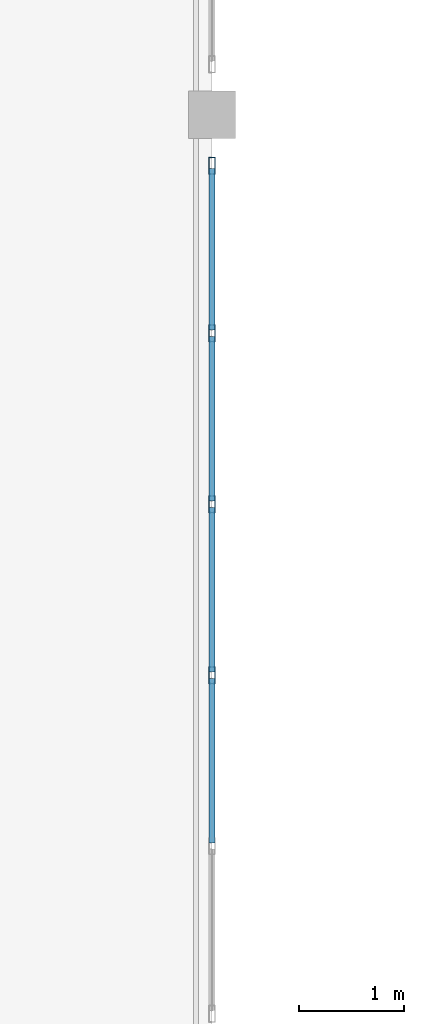
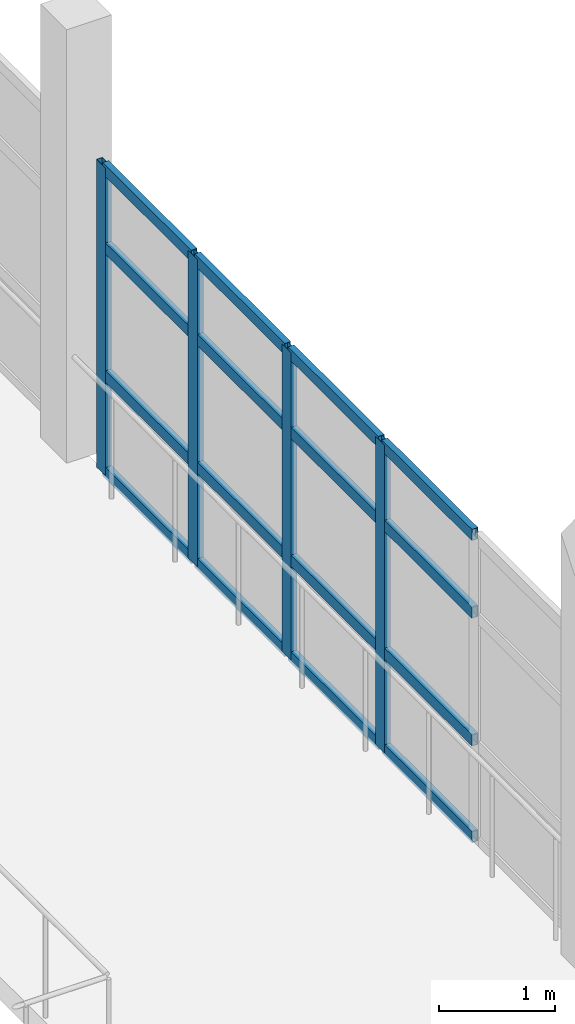
# One storey, part 16 of 80: 20 members, 1 element without a shape of its own.
"""IFC4 building model written with IfcOpenShell, lengths in metres."""

import ifcopenshell
import ifcopenshell.guid

model = None  # the IFC model being written
_history = None  # IfcOwnerHistory: only IFC2X3 demands one
_inside = {}  # id of a spatial element -> (the spatial element, [elements in it])
_under = {}  # id of a project, library or spatial element -> (it, [spatial elements below it])
_declared = {}  # id of a project -> (the project, [libraries it declares])
_typed = {}  # id of a type object -> (the type object, [elements of that type])
_made_of = {}  # id of a material, layer set ... -> (it, [elements and type objects made of it])


def new_model(schema):
    """Start an empty IFC model of exactly this schema.

    Asked for "IFC4X3", IfcOpenShell would pick the latest addendum, in which some entities
    have other attributes; the version numbers below select the first issue.
    IFC2X3 requires an IfcOwnerHistory on every rooted entity: one is made here for all.
    """
    global model, _history
    if schema == "IFC4X3":
        model = ifcopenshell.file(schema_version=(4, 3, 0, 0))
    else:
        model = ifcopenshell.file(schema=schema)
    _inside.clear()
    _under.clear()
    _declared.clear()
    _typed.clear()
    _made_of.clear()
    _history = None
    if model.schema == "IFC2X3":
        org = make("IfcOrganization", Name="unknown")
        user = make(
            "IfcPersonAndOrganization",
            ThePerson=make("IfcPerson", FamilyName="unknown"),
            TheOrganization=org,
        )
        app = make(
            "IfcApplication",
            ApplicationDeveloper=org,
            Version="unknown",
            ApplicationFullName="unknown",
            ApplicationIdentifier="unknown",
        )
        _history = make(
            "IfcOwnerHistory",
            OwningUser=user,
            OwningApplication=app,
            ChangeAction="ADDED",
            CreationDate=0,
        )
    return model


def make(cls, **values):
    """One entity of the class cls with the attributes given. An attribute that is None is left unset."""
    return model.create_entity(
        cls, **{name: value for name, value in values.items() if value is not None}
    )


def rooted(cls, **values):
    """An entity with a GlobalId (a new one), such as an element, a storey or a relation."""
    return make(cls, GlobalId=ifcopenshell.guid.new(), OwnerHistory=_history, **values)


def si_unit(unit_type, name, prefix=None):
    """IfcSIUnit, for example si_unit("LENGTHUNIT", "METRE", prefix="MILLI")."""
    return make("IfcSIUnit", UnitType=unit_type, Prefix=prefix, Name=name)


def assignment(units):
    """IfcUnitAssignment: the units of a project."""
    return None if units is None else make("IfcUnitAssignment", Units=units)


def point(xyz):
    """IfcCartesianPoint."""
    return None if xyz is None else make("IfcCartesianPoint", Coordinates=xyz)


def direction(xyz):
    """IfcDirection."""
    return None if xyz is None else make("IfcDirection", DirectionRatios=xyz)


def frame(location, z_axis=None, x_axis=None):
    """IfcAxis2Placement3D, a coordinate frame: its origin and axes. An axis left out is left unset."""
    return make(
        "IfcAxis2Placement3D",
        Location=point(location),
        Axis=direction(z_axis),
        RefDirection=direction(x_axis),
    )


def frame_2d(location, x_axis=None):
    """IfcAxis2Placement2D, a coordinate frame in the plane: its origin and x axis."""
    return make(
        "IfcAxis2Placement2D", Location=point(location), RefDirection=direction(x_axis)
    )


def origin():
    """The frame at (0, 0, 0) with its axes left unset."""
    return frame((0.0, 0.0, 0.0))


def origin_2d():
    """The frame at (0, 0) in the plane with its x axis left unset."""
    return frame_2d((0.0, 0.0))


def place(relative_to, where):
    """IfcLocalPlacement: puts the frame where relative to a parent placement (None: the world)."""
    return make(
        "IfcLocalPlacement", PlacementRelTo=relative_to, RelativePlacement=where
    )


def context(
    kind, dimensions, precision=None, world=None, true_north=None, identifier=None
):
    """IfcGeometricRepresentationContext, for example the 3D "Model" context."""
    return make(
        "IfcGeometricRepresentationContext",
        ContextIdentifier=identifier,
        ContextType=kind,
        CoordinateSpaceDimension=dimensions,
        Precision=precision,
        WorldCoordinateSystem=world,
        TrueNorth=true_north,
    )


def subcontext(parent, identifier, kind, view, scale=None):
    """IfcGeometricRepresentationSubContext, for example "Body" below "Model"."""
    return make(
        "IfcGeometricRepresentationSubContext",
        ContextIdentifier=identifier,
        ContextType=kind,
        ParentContext=parent,
        TargetScale=scale,
        TargetView=view,
    )


def project(units=None, contexts=None):
    """IfcProject with its units and contexts."""
    return rooted(
        "IfcProject",
        Name="project",
        RepresentationContexts=contexts,
        UnitsInContext=assignment(units),
    )


def spatial(cls, under=None, at=None, **own):
    """A site, building, storey or space (cls), placed at a placement, below another one or the project."""
    s = rooted(cls, ObjectPlacement=at, **own)
    if under is not None:
        _under.setdefault(under.id(), (under, []))[1].append(s)
    return s


def profile(cls, at=None, kind="AREA", **sizes):
    """A parametric profile (cls). Its sizes go by their IFC names, for example OverallWidth=200.0."""
    return make(cls, ProfileType=kind, Position=at, **sizes)


def hollow_rectangle(**sizes):
    """IfcRectangleHollowProfileDef."""
    return profile("IfcRectangleHollowProfileDef", **sizes)


def extrude(swept, where, along, depth):
    """IfcExtrudedAreaSolid: the profile swept, set in the frame where, extruded along a direction by depth."""
    return make(
        "IfcExtrudedAreaSolid",
        SweptArea=swept,
        Position=where,
        ExtrudedDirection=direction(along),
        Depth=depth,
    )


def shape(context_of_items, identifier, shape_type, items):
    """IfcShapeRepresentation: the items that make up one representation, for example the "Body"."""
    return make(
        "IfcShapeRepresentation",
        ContextOfItems=context_of_items,
        RepresentationIdentifier=identifier,
        RepresentationType=shape_type,
        Items=items,
    )


def material(Name=None, Category=None):
    """IfcMaterial."""
    return make("IfcMaterial", Name=Name, Category=Category)


def layer(
    of_material, thickness, ventilated=None, Name=None, Category=None, Priority=None
):
    """IfcMaterialLayer: one layer of a wall or slab, of a material (None: an air gap)."""
    return make(
        "IfcMaterialLayer",
        Material=of_material,
        LayerThickness=thickness,
        IsVentilated=ventilated,
        Name=Name,
        Category=Category,
        Priority=Priority,
    )


def layer_set(layers, Name=None):
    """IfcMaterialLayerSet."""
    return make("IfcMaterialLayerSet", MaterialLayers=layers, LayerSetName=Name)


def material_profile(
    of_material, cross_section, Name=None, Category=None, Priority=None
):
    """IfcMaterialProfile: a cross section and its material."""
    return make(
        "IfcMaterialProfile",
        Name=Name,
        Material=of_material,
        Profile=cross_section,
        Priority=Priority,
        Category=Category,
    )


def profile_set(profiles, Name=None, composite=None):
    """IfcMaterialProfileSet."""
    return make(
        "IfcMaterialProfileSet",
        Name=Name,
        MaterialProfiles=profiles,
        CompositeProfile=composite,
    )


def made_of(thing, what):
    """Note that an element or type object is made of a material, layer set ...; save() writes the relation."""
    if what is not None:
        _made_of.setdefault(what.id(), (what, []))[1].append(thing)
    return thing


def type_object(cls, material=None, **own):
    """A type object (cls), such as IfcWallType, which elements share."""
    return made_of(rooted(cls, **own), material)


def element(
    cls,
    number,
    at=None,
    inside=None,
    cuts=None,
    type_object=None,
    material=None,
    context=None,
    identifier="Body",
    shape_type=None,
    held_by="IfcProductDefinitionShape",
    body=None,
    shapes=None,
    **own,
):
    """One element of the class cls, such as IfcWall. Its Tag is "e" and its number.

    at: its placement. inside: the storey or other place that contains it. cuts: it is an
    opening in that element (IfcRelVoidsElement). A single representation is given by context,
    identifier, shape_type and body (its items); several are given by shapes. held_by: the class
    of the entity that holds the representations. save() writes the other relations.
    """
    e = rooted(cls, Tag="e%d" % number, ObjectPlacement=at, **own)
    if body is not None:
        shapes = [shape(context, identifier, shape_type, body)]
    if shapes is not None:
        e.Representation = make(held_by, Representations=shapes)
    if inside is not None:
        _inside.setdefault(inside.id(), (inside, []))[1].append(e)
    if cuts is not None:
        rooted(
            "IfcRelVoidsElement", RelatingBuildingElement=cuts, RelatedOpeningElement=e
        )
    if type_object is not None:
        _typed.setdefault(type_object.id(), (type_object, []))[1].append(e)
    return made_of(e, material)


def aggregate(whole, parts):
    """IfcRelAggregates: a whole, such as a stair, and the parts it consists of."""
    return rooted("IfcRelAggregates", RelatingObject=whole, RelatedObjects=parts)


def save(model, path):
    """Write the relations noted so far, then the file.

    IfcRelAggregates (storeys below a building ...), IfcRelContainedInSpatialStructure (elements
    in a storey), IfcRelDefinesByType, IfcRelAssociatesMaterial and IfcRelDeclares: one each for
    every whole, place, type object, material and project.
    """
    for whole, parts in _under.values():
        aggregate(whole, parts)
    for where, things in _inside.values():
        rooted(
            "IfcRelContainedInSpatialStructure",
            RelatedElements=things,
            RelatingStructure=where,
        )
    for kind, things in _typed.values():
        rooted("IfcRelDefinesByType", RelatedObjects=things, RelatingType=kind)
    for what, things in _made_of.values():
        rooted("IfcRelAssociatesMaterial", RelatedObjects=things, RelatingMaterial=what)
    for by, libraries in _declared.values():
        rooted("IfcRelDeclares", RelatingContext=by, RelatedDefinitions=libraries)
    model.write(path)


model = new_model("IFC4")

# Units and contexts
model_context = context("Model", 3, precision=1e-05, world=origin(), true_north=direction((0.0, 1.0)))
body_context = subcontext(model_context, "Body", "Model", "MODEL_VIEW")
ifc_project = project(units=[si_unit("LENGTHUNIT", "METRE"), si_unit("AREAUNIT", "SQUARE_METRE"), si_unit("VOLUMEUNIT", "CUBIC_METRE"), si_unit("PLANEANGLEUNIT", "RADIAN"), si_unit("MASSUNIT", "GRAM", prefix="KILO")], contexts=[model_context])

# Site, building, storey
site_placement = place(None, origin())
site = spatial("IfcSite", under=ifc_project, at=site_placement, CompositionType="ELEMENT")
building_placement = place(site_placement, origin())
building = spatial("IfcBuilding", under=site, at=building_placement, Name="Ornek Quay Market", CompositionType="ELEMENT")
storey_placement = place(building_placement, frame((0.0, 0.0, 8.39990234375)))
storey = spatial("IfcBuildingStorey", under=building, at=storey_placement, Name="L02", CompositionType="ELEMENT", Elevation=8.39990234375)

# Curtain wall, members
ifc_material_1 = material(Name="Anodised bronze aluminium and triple low-e glass", Category="aluminium")
ifc_layer = layer(ifc_material_1, 0.139892578125, Name="Anodised bronze aluminium and triple low-e glass", Category="aluminium")
ifc_layer_set = layer_set([ifc_layer], Name="Anodised bronze aluminium and triple low-e glass")
curtain_wall_type = type_object("IfcCurtainWallType", Name="CW-GALLERY-INT", PredefinedType="USERDEFINED", material=ifc_layer_set)
curtain_wall_placement = place(storey_placement, origin())
curtain_wall = element("IfcCurtainWall", 1, at=curtain_wall_placement, inside=storey, type_object=curtain_wall_type, Name="Curtain wall CW-113", ObjectType="CURTAIN WALL", PredefinedType="USERDEFINED")
ifc_material_2 = material(Name="Anodised aluminium 6063-T6", Category="aluminium")
ifc_material_profile_1 = material_profile(ifc_material_2, hollow_rectangle(XDim=0.06005859375, YDim=0.159912109375, WallThickness=0.00390625, at=origin_2d()), Name="CW-MUL-60x160", Category="aluminium")
ifc_profile_set_1 = profile_set([ifc_material_profile_1], Name="Anodised aluminium 6063-T6")
member_type_1 = type_object("IfcMemberType", Name="CW-MUL-60x160", PredefinedType="MULLION", material=ifc_profile_set_1)
member_1_placement = place(storey_placement, frame((72.0, 68.68994140625, 0.0), z_axis=(0.0, 0.0, 1.0), x_axis=(-1.0, 0.0, 0.0)))
member_1 = element("IfcMember", 2, at=member_1_placement, type_object=member_type_1, Name="CW-113 mullion 3", PredefinedType="MULLION", context=body_context, shape_type="SweptSolid", body=[
    extrude(hollow_rectangle(XDim=0.06005859375, YDim=0.159912109375, WallThickness=0.00390625, at=origin_2d()), origin(), (0.0, 0.0, 1.0), 3.25),
])
member_2_placement = place(storey_placement, frame((72.0, 70.31005859375, 0.0), z_axis=(0.0, 0.0, 1.0), x_axis=(-1.0, 0.0, 0.0)))
member_2 = element("IfcMember", 3, at=member_2_placement, type_object=member_type_1, Name="CW-113 mullion 4", PredefinedType="MULLION", context=body_context, shape_type="SweptSolid", body=[
    extrude(hollow_rectangle(XDim=0.06005859375, YDim=0.159912109375, WallThickness=0.00390625, at=origin_2d()), origin(), (0.0, 0.0, 1.0), 3.25),
])
member_3_placement = place(storey_placement, frame((72.0, 71.929931640625, 0.0), z_axis=(0.0, 0.0, 1.0), x_axis=(-1.0, 0.0, 0.0)))
member_3 = element("IfcMember", 4, at=member_3_placement, type_object=member_type_1, Name="CW-113 mullion 5", PredefinedType="MULLION", context=body_context, shape_type="SweptSolid", body=[
    extrude(hollow_rectangle(XDim=0.06005859375, YDim=0.159912109375, WallThickness=0.00390625, at=origin_2d()), origin(), (0.0, 0.0, 1.0), 3.25),
])
member_4_placement = place(storey_placement, frame((72.0, 73.52001953125, 0.0), z_axis=(0.0, 0.0, 1.0), x_axis=(-1.0, 0.0, 0.0)))
member_4 = element("IfcMember", 5, at=member_4_placement, type_object=member_type_1, Name="CW-113 mullion 6", PredefinedType="MULLION", context=body_context, shape_type="SweptSolid", body=[
    extrude(hollow_rectangle(XDim=0.06005859375, YDim=0.159912109375, WallThickness=0.00390625, at=origin_2d()), origin(), (0.0, 0.0, 1.0), 3.25),
])
ifc_material_profile_2 = material_profile(ifc_material_2, hollow_rectangle(XDim=0.06005859375, YDim=0.1201171875, WallThickness=0.00390625, at=origin_2d()), Name="CW-TRN-60x120", Category="aluminium")
ifc_profile_set_2 = profile_set([ifc_material_profile_2], Name="Anodised aluminium 6063-T6")
member_type_2 = type_object("IfcMemberType", Name="CW-TRN-60x120", PredefinedType="USERDEFINED", material=ifc_profile_set_2)
member_5_placement = place(storey_placement, frame((72.0, 67.10009765625, 0.030029296875), z_axis=(0.0, 1.0, 0.0), x_axis=(-1.0, 0.0, 0.0)))
member_5 = element("IfcMember", 6, at=member_5_placement, type_object=member_type_2, Name="CW-113 transom 2.1", ObjectType="TRANSOM", PredefinedType="USERDEFINED", context=body_context, shape_type="SweptSolid", body=[
    extrude(hollow_rectangle(XDim=0.06005859375, YDim=0.1201171875, WallThickness=0.00390625, at=origin_2d()), origin(), (0.0, 0.0, 1.0), 1.559814453125),
])
member_6_placement = place(storey_placement, frame((72.0, 67.10009765625, 1.050048828125), z_axis=(0.0, 1.0, 0.0), x_axis=(-1.0, 0.0, 0.0)))
member_6 = element("IfcMember", 7, at=member_6_placement, type_object=member_type_2, Name="CW-113 transom 2.2", ObjectType="TRANSOM", PredefinedType="USERDEFINED", context=body_context, shape_type="SweptSolid", body=[
    extrude(hollow_rectangle(XDim=0.06005859375, YDim=0.1201171875, WallThickness=0.00390625, at=origin_2d()), origin(), (0.0, 0.0, 1.0), 1.559814453125),
])
member_7_placement = place(storey_placement, frame((72.0, 67.10009765625, 2.400146484375), z_axis=(0.0, 1.0, 0.0), x_axis=(-1.0, 0.0, 0.0)))
member_7 = element("IfcMember", 8, at=member_7_placement, type_object=member_type_2, Name="CW-113 transom 2.3", ObjectType="TRANSOM", PredefinedType="USERDEFINED", context=body_context, shape_type="SweptSolid", body=[
    extrude(hollow_rectangle(XDim=0.06005859375, YDim=0.1201171875, WallThickness=0.00390625, at=origin_2d()), origin(), (0.0, 0.0, 1.0), 1.559814453125),
])
member_8_placement = place(storey_placement, frame((72.0, 67.10009765625, 3.22021484375), z_axis=(0.0, 1.0, 0.0), x_axis=(-1.0, 0.0, 0.0)))
member_8 = element("IfcMember", 9, at=member_8_placement, type_object=member_type_2, Name="CW-113 transom 2.4", ObjectType="TRANSOM", PredefinedType="USERDEFINED", context=body_context, shape_type="SweptSolid", body=[
    extrude(hollow_rectangle(XDim=0.06005859375, YDim=0.1201171875, WallThickness=0.00390625, at=origin_2d()), origin(), (0.0, 0.0, 1.0), 1.559814453125),
])
member_9_placement = place(storey_placement, frame((72.0, 68.719970703125, 0.030029296875), z_axis=(0.0, 1.0, 0.0), x_axis=(-1.0, 0.0, 0.0)))
member_9 = element("IfcMember", 10, at=member_9_placement, type_object=member_type_2, Name="CW-113 transom 3.1", ObjectType="TRANSOM", PredefinedType="USERDEFINED", context=body_context, shape_type="SweptSolid", body=[
    extrude(hollow_rectangle(XDim=0.06005859375, YDim=0.1201171875, WallThickness=0.00390625, at=origin_2d()), origin(), (0.0, 0.0, 1.0), 1.56005859375),
])
member_10_placement = place(storey_placement, frame((72.0, 68.719970703125, 1.050048828125), z_axis=(0.0, 1.0, 0.0), x_axis=(-1.0, 0.0, 0.0)))
member_10 = element("IfcMember", 11, at=member_10_placement, type_object=member_type_2, Name="CW-113 transom 3.2", ObjectType="TRANSOM", PredefinedType="USERDEFINED", context=body_context, shape_type="SweptSolid", body=[
    extrude(hollow_rectangle(XDim=0.06005859375, YDim=0.1201171875, WallThickness=0.00390625, at=origin_2d()), origin(), (0.0, 0.0, 1.0), 1.56005859375),
])
member_11_placement = place(storey_placement, frame((72.0, 68.719970703125, 2.400146484375), z_axis=(0.0, 1.0, 0.0), x_axis=(-1.0, 0.0, 0.0)))
member_11 = element("IfcMember", 12, at=member_11_placement, type_object=member_type_2, Name="CW-113 transom 3.3", ObjectType="TRANSOM", PredefinedType="USERDEFINED", context=body_context, shape_type="SweptSolid", body=[
    extrude(hollow_rectangle(XDim=0.06005859375, YDim=0.1201171875, WallThickness=0.00390625, at=origin_2d()), origin(), (0.0, 0.0, 1.0), 1.56005859375),
])
member_12_placement = place(storey_placement, frame((72.0, 68.719970703125, 3.22021484375), z_axis=(0.0, 1.0, 0.0), x_axis=(-1.0, 0.0, 0.0)))
member_12 = element("IfcMember", 13, at=member_12_placement, type_object=member_type_2, Name="CW-113 transom 3.4", ObjectType="TRANSOM", PredefinedType="USERDEFINED", context=body_context, shape_type="SweptSolid", body=[
    extrude(hollow_rectangle(XDim=0.06005859375, YDim=0.1201171875, WallThickness=0.00390625, at=origin_2d()), origin(), (0.0, 0.0, 1.0), 1.56005859375),
])
member_13_placement = place(storey_placement, frame((72.0, 70.340087890625, 0.030029296875), z_axis=(0.0, 1.0, 0.0), x_axis=(-1.0, 0.0, 0.0)))
member_13 = element("IfcMember", 14, at=member_13_placement, type_object=member_type_2, Name="CW-113 transom 4.1", ObjectType="TRANSOM", PredefinedType="USERDEFINED", context=body_context, shape_type="SweptSolid", body=[
    extrude(hollow_rectangle(XDim=0.06005859375, YDim=0.1201171875, WallThickness=0.00390625, at=origin_2d()), origin(), (0.0, 0.0, 1.0), 1.559814453125),
])
member_14_placement = place(storey_placement, frame((72.0, 70.340087890625, 1.050048828125), z_axis=(0.0, 1.0, 0.0), x_axis=(-1.0, 0.0, 0.0)))
member_14 = element("IfcMember", 15, at=member_14_placement, type_object=member_type_2, Name="CW-113 transom 4.2", ObjectType="TRANSOM", PredefinedType="USERDEFINED", context=body_context, shape_type="SweptSolid", body=[
    extrude(hollow_rectangle(XDim=0.06005859375, YDim=0.1201171875, WallThickness=0.00390625, at=origin_2d()), origin(), (0.0, 0.0, 1.0), 1.559814453125),
])
member_15_placement = place(storey_placement, frame((72.0, 70.340087890625, 2.400146484375), z_axis=(0.0, 1.0, 0.0), x_axis=(-1.0, 0.0, 0.0)))
member_15 = element("IfcMember", 16, at=member_15_placement, type_object=member_type_2, Name="CW-113 transom 4.3", ObjectType="TRANSOM", PredefinedType="USERDEFINED", context=body_context, shape_type="SweptSolid", body=[
    extrude(hollow_rectangle(XDim=0.06005859375, YDim=0.1201171875, WallThickness=0.00390625, at=origin_2d()), origin(), (0.0, 0.0, 1.0), 1.559814453125),
])
member_16_placement = place(storey_placement, frame((72.0, 70.340087890625, 3.22021484375), z_axis=(0.0, 1.0, 0.0), x_axis=(-1.0, 0.0, 0.0)))
member_16 = element("IfcMember", 17, at=member_16_placement, type_object=member_type_2, Name="CW-113 transom 4.4", ObjectType="TRANSOM", PredefinedType="USERDEFINED", context=body_context, shape_type="SweptSolid", body=[
    extrude(hollow_rectangle(XDim=0.06005859375, YDim=0.1201171875, WallThickness=0.00390625, at=origin_2d()), origin(), (0.0, 0.0, 1.0), 1.559814453125),
])
member_17_placement = place(storey_placement, frame((72.0, 71.9599609375, 0.030029296875), z_axis=(0.0, 1.0, 0.0), x_axis=(-1.0, 0.0, 0.0)))
member_17 = element("IfcMember", 18, at=member_17_placement, type_object=member_type_2, Name="CW-113 transom 5.1", ObjectType="TRANSOM", PredefinedType="USERDEFINED", context=body_context, shape_type="SweptSolid", body=[
    extrude(hollow_rectangle(XDim=0.06005859375, YDim=0.1201171875, WallThickness=0.00390625, at=origin_2d()), origin(), (0.0, 0.0, 1.0), 1.530029296875),
])
member_18_placement = place(storey_placement, frame((72.0, 71.9599609375, 1.050048828125), z_axis=(0.0, 1.0, 0.0), x_axis=(-1.0, 0.0, 0.0)))
member_18 = element("IfcMember", 19, at=member_18_placement, type_object=member_type_2, Name="CW-113 transom 5.2", ObjectType="TRANSOM", PredefinedType="USERDEFINED", context=body_context, shape_type="SweptSolid", body=[
    extrude(hollow_rectangle(XDim=0.06005859375, YDim=0.1201171875, WallThickness=0.00390625, at=origin_2d()), origin(), (0.0, 0.0, 1.0), 1.530029296875),
])
member_19_placement = place(storey_placement, frame((72.0, 71.9599609375, 2.400146484375), z_axis=(0.0, 1.0, 0.0), x_axis=(-1.0, 0.0, 0.0)))
member_19 = element("IfcMember", 20, at=member_19_placement, type_object=member_type_2, Name="CW-113 transom 5.3", ObjectType="TRANSOM", PredefinedType="USERDEFINED", context=body_context, shape_type="SweptSolid", body=[
    extrude(hollow_rectangle(XDim=0.06005859375, YDim=0.1201171875, WallThickness=0.00390625, at=origin_2d()), origin(), (0.0, 0.0, 1.0), 1.530029296875),
])
member_20_placement = place(storey_placement, frame((72.0, 71.9599609375, 3.22021484375), z_axis=(0.0, 1.0, 0.0), x_axis=(-1.0, 0.0, 0.0)))
member_20 = element("IfcMember", 21, at=member_20_placement, type_object=member_type_2, Name="CW-113 transom 5.4", ObjectType="TRANSOM", PredefinedType="USERDEFINED", context=body_context, shape_type="SweptSolid", body=[
    extrude(hollow_rectangle(XDim=0.06005859375, YDim=0.1201171875, WallThickness=0.00390625, at=origin_2d()), origin(), (0.0, 0.0, 1.0), 1.530029296875),
])
aggregate(curtain_wall, [member_1, member_2, member_3, member_4, member_5, member_6, member_7, member_8, member_9, member_10, member_11, member_12, member_13, member_14, member_15, member_16, member_17, member_18, member_19, member_20])

save(model, "model.ifc")
